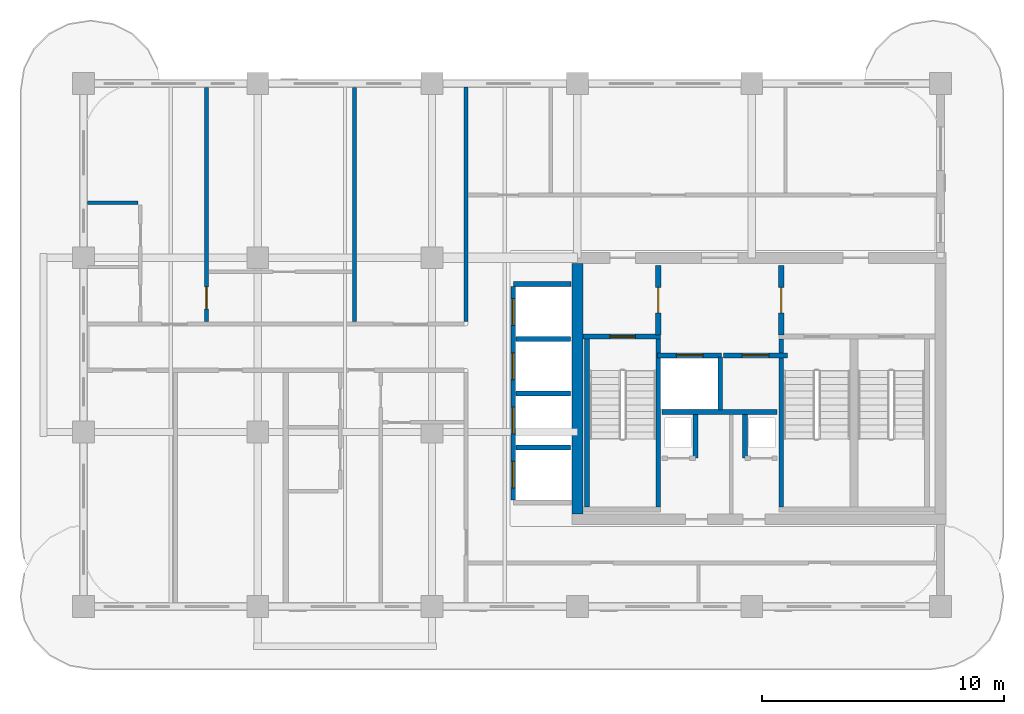
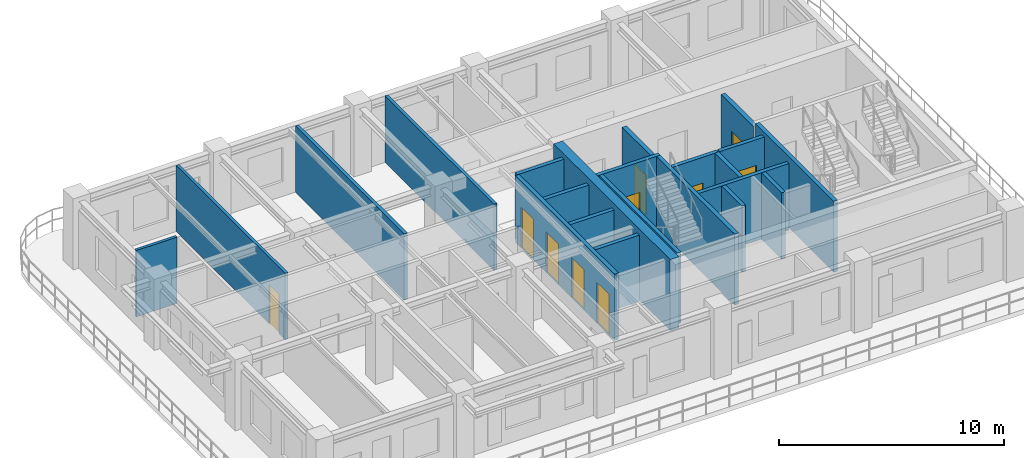
# One storey, part 4 of 8: 22 walls, 10 doors, 10 openings.
"""IFC4 building model written with IfcOpenShell, lengths in metres."""

from ifc_helpers import new_model, si_unit, derived_unit, direction, frame, frame_2d, origin, place, context, subcontext, project, spatial, rectangle, extrude, source, transform, mapped, material, layer, layer_set, type_object, type_shapes, element, fill, save


model = new_model("IFC4")

# Units and contexts
model_context = context("Model", 3, precision=1e-05, world=origin(), true_north=direction((0.0, 1.0)))
body_context = subcontext(model_context, "Body", "Model", "MODEL_VIEW")
ifc_project = project(units=[si_unit("LENGTHUNIT", "METRE"), si_unit("AREAUNIT", "SQUARE_METRE"), si_unit("VOLUMEUNIT", "CUBIC_METRE"), si_unit("PLANEANGLEUNIT", "RADIAN"), si_unit("MASSUNIT", "GRAM", prefix="KILO"), si_unit("THERMODYNAMICTEMPERATUREUNIT", "KELVIN"), si_unit("POWERUNIT", "WATT"), derived_unit("THERMALTRANSMITTANCEUNIT", [(si_unit("POWERUNIT", "WATT"), 1), (si_unit("AREAUNIT", "SQUARE_METRE"), -1), (si_unit("THERMODYNAMICTEMPERATUREUNIT", "KELVIN"), -1)])], contexts=[model_context])

# Site, building, storey
site_placement = place(None, origin())
site = spatial("IfcSite", under=ifc_project, at=site_placement, CompositionType="ELEMENT")
building_placement = place(site_placement, origin())
building = spatial("IfcBuilding", under=site, at=building_placement, Name="Zahravan Archway Hotel and Residences", CompositionType="ELEMENT")
storey_placement = place(building_placement, frame((0.0, 0.0, 225.0)))
storey = spatial("IfcBuildingStorey", under=building, at=storey_placement, Name="L56", CompositionType="ELEMENT", Elevation=225.0)

# Wall
ifc_material_1 = material(Name="Concrete C50/60", Category="concrete")
ifc_layer_1 = layer(ifc_material_1, 0.449951171875, Name="Concrete C50/60", Category="concrete")
ifc_layer_set_1 = layer_set([ifc_layer_1], Name="Concrete C50/60")
wall_type_1 = type_object("IfcWallType", Name="CW-CORE-450", PredefinedType="SHEAR", material=ifc_layer_set_1)
wall_1_placement = place(storey_placement, frame((34.800048828125, 3.824951171875, 0.0), z_axis=(0.0, 0.0, 1.0), x_axis=(0.0, 1.0, 0.0)))
element("IfcWall", 1, at=wall_1_placement, inside=storey, type_object=wall_type_1, Name="L56 Core A Shear W Wall 450 mm", PredefinedType="SHEAR", context=body_context, shape_type="SweptSolid", body=[
    extrude(rectangle(XDim=10.35009765625, YDim=0.449951171875, at=frame_2d((5.175048828125, 0.0))), origin(), (0.0, 0.0, 1.0), 3.85009765625),
])

# Wall, opening, door
ifc_material_2 = material(Name="Fire-Rated Gypsum & Concrete Block", Category="concrete")
ifc_layer_2 = layer(ifc_material_2, 0.219970703125, Name="Fire-Rated Gypsum & Concrete Block", Category="concrete")
ifc_layer_set_2 = layer_set([ifc_layer_2], Name="Fire-Rated Gypsum & Concrete Block")
wall_type_2 = type_object("IfcWallType", Name="PW-COMP-220", PredefinedType="PARTITIONING", material=ifc_layer_set_2)
wall_2_placement = place(storey_placement, frame((38.139892578125, 11.219970703125, 0.0), z_axis=(0.0, 0.0, 1.0), x_axis=(0.0, 1.0, 0.0)))
wall_2 = element("IfcWall", 2, at=wall_2_placement, inside=storey, type_object=wall_type_2, Name="L56 Partition CA-LOBW", PredefinedType="PARTITIONING", context=body_context, shape_type="SweptSolid", body=[
    extrude(rectangle(XDim=2.860107421875, YDim=0.219970703125, at=frame_2d((1.43017578125, 0.0))), origin(), (0.0, 0.0, 1.0), 3.60009765625),
])
opening_1_placement = place(wall_2_placement, frame((0.905029296875, 0.0, 0.0)))
opening_1 = element("IfcOpeningElement", 3, at=opening_1_placement, cuts=wall_2, Name="Opening FD-L2", PredefinedType="OPENING", context=body_context, shape_type="SweptSolid", body=[
    extrude(rectangle(XDim=1.050048828125, YDim=2.14990234375, at=frame_2d((0.52490234375, 1.074951171875))), frame((0.0, 0.1201171875, 0.0), z_axis=(0.0, -1.0, 0.0), x_axis=(1.0, 0.0, 0.0)), (0.0, 0.0, 1.0), 0.239990234375),
])
ifc_material_3 = material(Name="Fire-Rated Painted Steel", Category="steel")
door_type_1 = type_object("IfcDoorType", Name="FD-LOBBY-1100", OperationType="NOTDEFINED", PredefinedType="DOOR", material=ifc_material_3)
shared_shape_1 = source(origin(), body_context, "Body", "SweptSolid", [
    extrude(rectangle(XDim=1.050048828125, YDim=2.14990234375, at=frame_2d((0.52490234375, 1.074951171875))), frame((0.0, 0.02490234375, 0.0), z_axis=(0.0, -1.0, 0.0), x_axis=(1.0, 0.0, 0.0)), (0.0, 0.0, 1.0), 0.050048828125),
])
type_shapes(door_type_1, [shared_shape_1])
door_1_placement = place(opening_1_placement, origin())
door_1 = element("IfcDoor", 4, at=door_1_placement, inside=storey, type_object=door_type_1, Name="L56 Core A West Stair to FSAE Lobby Door", OperationType="SINGLE_SWING_RIGHT", OverallHeight=2.14990234375, OverallWidth=1.050048828125, PredefinedType="DOOR", context=body_context, shape_type="MappedRepresentation", body=[
    mapped(shared_shape_1, transform((0.0, 0.0, 0.0), scale=1.0)),
])
fill(opening_1, door_1)

wall_3_placement = place(storey_placement, frame((43.219970703125, 11.219970703125, 0.0), z_axis=(0.0, 0.0, 1.0), x_axis=(0.0, 1.0, 0.0)))
wall_3 = element("IfcWall", 5, at=wall_3_placement, inside=storey, type_object=wall_type_2, Name="L56 Partition CA-LOBE", PredefinedType="PARTITIONING", context=body_context, shape_type="SweptSolid", body=[
    extrude(rectangle(XDim=2.860107421875, YDim=0.219970703125, at=frame_2d((1.43017578125, 0.0))), origin(), (0.0, 0.0, 1.0), 3.60009765625),
])
opening_2_placement = place(wall_3_placement, frame((0.905029296875, 0.0, 0.0)))
opening_2 = element("IfcOpeningElement", 6, at=opening_2_placement, cuts=wall_3, Name="Opening FD-L2", PredefinedType="OPENING", context=body_context, shape_type="SweptSolid", body=[
    extrude(rectangle(XDim=1.050048828125, YDim=2.14990234375, at=frame_2d((0.52490234375, 1.074951171875))), frame((0.0, 0.1201171875, 0.0), z_axis=(0.0, -1.0, 0.0), x_axis=(1.0, 0.0, 0.0)), (0.0, 0.0, 1.0), 0.239990234375),
])
door_2_placement = place(opening_2_placement, origin())
door_2 = element("IfcDoor", 7, at=door_2_placement, inside=storey, type_object=door_type_1, Name="L56 Core A East Stair to FSAE Lobby Door", OperationType="SINGLE_SWING_LEFT", OverallHeight=2.14990234375, OverallWidth=1.050048828125, PredefinedType="DOOR", context=body_context, shape_type="MappedRepresentation", body=[
    mapped(shared_shape_1, transform((0.0, 0.0, 0.0), scale=1.0)),
])
fill(opening_2, door_2)

# Walls
ifc_layer_3 = layer(ifc_material_2, 0.159912109375, Name="Fire-Rated Gypsum & Concrete Block", Category="concrete")
ifc_layer_set_3 = layer_set([ifc_layer_3], Name="Fire-Rated Gypsum & Concrete Block")
wall_type_3 = type_object("IfcWallType", Name="PW-CORR-160", PredefinedType="PARTITIONING", material=ifc_layer_set_3)
wall_4_placement = place(storey_placement, frame((30.199951171875, 11.760009765625, 0.0), z_axis=(0.0, 0.0, 1.0), x_axis=(0.0, 1.0, 0.0)))
element("IfcWall", 8, at=wall_4_placement, inside=storey, type_object=wall_type_3, Name="L56 Partition WA-FW", PredefinedType="PARTITIONING", context=body_context, shape_type="SweptSolid", body=[
    extrude(rectangle(XDim=9.699951171875, YDim=0.159912109375, at=frame_2d((4.85009765625, 0.0))), origin(), (0.0, 0.0, 1.0), 3.60009765625),
])
ifc_layer_4 = layer(ifc_material_2, 0.199951171875, Name="Fire-Rated Gypsum & Concrete Block", Category="concrete")
ifc_layer_set_4 = layer_set([ifc_layer_4], Name="Fire-Rated Gypsum & Concrete Block")
wall_type_4 = type_object("IfcWallType", Name="PW-SHAFT-200", PredefinedType="PARTITIONING", material=ifc_layer_set_4)
wall_5_placement = place(storey_placement, frame((38.300048828125, 8.030029296875, 0.0), z_axis=(0.0, 0.0, 1.0), x_axis=(1.0, 0.0, 0.0)))
element("IfcWall", 9, at=wall_5_placement, inside=storey, type_object=wall_type_4, Name="L56 Partition CA-FLS", PredefinedType="PARTITIONING", context=body_context, shape_type="SweptSolid", body=[
    extrude(rectangle(XDim=4.739990234375, YDim=0.199951171875, at=frame_2d((2.3701171875, 0.0))), origin(), (0.0, 0.0, 1.0), 3.60009765625),
])
wall_6_placement = place(storey_placement, frame((40.699951171875, 8.1201171875, 0.0), z_axis=(0.0, 0.0, 1.0), x_axis=(0.0, 1.0, 0.0)))
element("IfcWall", 10, at=wall_6_placement, inside=storey, type_object=wall_type_4, Name="L56 Partition CA-FLM", PredefinedType="PARTITIONING", context=body_context, shape_type="SweptSolid", body=[
    extrude(rectangle(XDim=2.179931640625, YDim=0.199951171875, at=frame_2d((1.08984375, 0.0))), origin(), (0.0, 0.0, 1.0), 3.60009765625),
])
for number, where, z_axis, x_axis, name in (
    (11, (39.679931640625, 6.1298828125, 0.0), (0.0, 0.0, 1.0), (0.0, 1.0, 0.0), "L56 Partition CA-SMKE"),
    (12, (41.719970703125, 6.1298828125, 0.0), (0.0, 0.0, 1.0), (0.0, 1.0, 0.0), "L56 Partition CA-MEPW"),
):
    element("IfcWall", number, at=place(storey_placement, frame(where, z_axis=z_axis, x_axis=x_axis)), inside=storey, type_object=wall_type_4, Name=name, PredefinedType="PARTITIONING", context=body_context, shape_type="SweptSolid", body=[
        extrude(rectangle(XDim=1.7900390625, YDim=0.199951171875, at=frame_2d((0.89501953125, 0.0))), origin(), (0.0, 0.0, 1.0), 3.60009765625),
    ])
wall_7_placement = place(storey_placement, frame((32.159912109375, 13.320068359375, 0.0), z_axis=(0.0, 0.0, 1.0), x_axis=(1.0, 0.0, 0.0)))
element("IfcWall", 13, at=wall_7_placement, inside=storey, type_object=wall_type_4, Name="L56 Partition B3-N", PredefinedType="PARTITIONING", context=body_context, shape_type="SweptSolid", body=[
    extrude(rectangle(XDim=2.385009765625, YDim=0.199951171875, at=frame_2d((1.1923828125, 0.0))), origin(), (0.0, 0.0, 1.0), 3.60009765625),
])

# Wall, openings, doors
wall_8_placement = place(storey_placement, frame((32.14990234375, 4.389892578125, 0.0), z_axis=(0.0, 0.0, 1.0), x_axis=(0.0, 1.0, 0.0)))
wall_8 = element("IfcWall", 14, at=wall_8_placement, inside=storey, type_object=wall_type_4, Name="L56 Partition B3-W", PredefinedType="PARTITIONING", context=body_context, shape_type="SweptSolid", body=[
    extrude(rectangle(XDim=8.820068359375, YDim=0.199951171875, at=frame_2d((4.41015625, 0.0))), origin(), (0.0, 0.0, 1.0), 3.60009765625),
])
opening_3_placement = place(wall_8_placement, frame((0.5, 0.0, 0.0)))
opening_3 = element("IfcOpeningElement", 15, at=opening_3_placement, cuts=wall_8, Name="Opening LD", PredefinedType="OPENING", context=body_context, shape_type="SweptSolid", body=[
    extrude(rectangle(XDim=1.10009765625, YDim=2.199951171875, at=frame_2d((0.550048828125, 1.10009765625))), frame((0.0, 0.10986328125, 0.0), z_axis=(0.0, -1.0, 0.0), x_axis=(1.0, 0.0, 0.0)), (0.0, 0.0, 1.0), 0.219970703125),
])
opening_4_placement = place(wall_8_placement, frame((2.739990234375, 0.0, 0.0)))
opening_4 = element("IfcOpeningElement", 16, at=opening_4_placement, cuts=wall_8, Name="Opening LD", PredefinedType="OPENING", context=body_context, shape_type="SweptSolid", body=[
    extrude(rectangle(XDim=1.10009765625, YDim=2.199951171875, at=frame_2d((0.550048828125, 1.10009765625))), frame((0.0, 0.10986328125, 0.0), z_axis=(0.0, -1.0, 0.0), x_axis=(1.0, 0.0, 0.0)), (0.0, 0.0, 1.0), 0.219970703125),
])
opening_5_placement = place(wall_8_placement, frame((4.97998046875, 0.0, 0.0)))
opening_5 = element("IfcOpeningElement", 17, at=opening_5_placement, cuts=wall_8, Name="Opening LD", PredefinedType="OPENING", context=body_context, shape_type="SweptSolid", body=[
    extrude(rectangle(XDim=1.10009765625, YDim=2.199951171875, at=frame_2d((0.550048828125, 1.10009765625))), frame((0.0, 0.10986328125, 0.0), z_axis=(0.0, -1.0, 0.0), x_axis=(1.0, 0.0, 0.0)), (0.0, 0.0, 1.0), 0.219970703125),
])
opening_6_placement = place(wall_8_placement, frame((7.219970703125, 0.0, 0.0)))
opening_6 = element("IfcOpeningElement", 18, at=opening_6_placement, cuts=wall_8, Name="Opening LD", PredefinedType="OPENING", context=body_context, shape_type="SweptSolid", body=[
    extrude(rectangle(XDim=1.10009765625, YDim=2.199951171875, at=frame_2d((0.550048828125, 1.10009765625))), frame((0.0, 0.10986328125, 0.0), z_axis=(0.0, -1.0, 0.0), x_axis=(1.0, 0.0, 0.0)), (0.0, 0.0, 1.0), 0.219970703125),
])
ifc_material_4 = material(Name="Brushed Stainless Steel", Category="steel")
door_type_2 = type_object("IfcDoorType", Name="DR-LIFT-LD", OperationType="SLIDING_TO_LEFT", PredefinedType="DOOR", material=ifc_material_4)
shared_shape_2 = source(origin(), body_context, "Body", "SweptSolid", [
    extrude(rectangle(XDim=1.10009765625, YDim=2.199951171875, at=frame_2d((0.550048828125, 1.10009765625))), frame((0.0, 0.02490234375, 0.0), z_axis=(0.0, -1.0, 0.0), x_axis=(1.0, 0.0, 0.0)), (0.0, 0.0, 1.0), 0.050048828125),
])
type_shapes(door_type_2, [shared_shape_2])
door_3_placement = place(opening_3_placement, origin())
door_3 = element("IfcDoor", 19, at=door_3_placement, inside=storey, type_object=door_type_2, Name="L56 Lift LP-7 Sliding Landing Door", OperationType="SLIDING_TO_LEFT", OverallHeight=2.199951171875, OverallWidth=1.10009765625, PredefinedType="DOOR", context=body_context, shape_type="MappedRepresentation", body=[
    mapped(shared_shape_2, transform((0.0, 0.0, 0.0), scale=1.0)),
])
fill(opening_3, door_3)
door_4_placement = place(opening_4_placement, origin())
door_4 = element("IfcDoor", 20, at=door_4_placement, inside=storey, type_object=door_type_2, Name="L56 Lift LP-8 Sliding Landing Door", OperationType="SLIDING_TO_LEFT", OverallHeight=2.199951171875, OverallWidth=1.10009765625, PredefinedType="DOOR", context=body_context, shape_type="MappedRepresentation", body=[
    mapped(shared_shape_2, transform((0.0, 0.0, 0.0), scale=1.0)),
])
fill(opening_4, door_4)
door_5_placement = place(opening_5_placement, origin())
door_5 = element("IfcDoor", 21, at=door_5_placement, inside=storey, type_object=door_type_2, Name="L56 Lift LP-9 Sliding Landing Door", OperationType="SLIDING_TO_LEFT", OverallHeight=2.199951171875, OverallWidth=1.10009765625, PredefinedType="DOOR", context=body_context, shape_type="MappedRepresentation", body=[
    mapped(shared_shape_2, transform((0.0, 0.0, 0.0), scale=1.0)),
])
fill(opening_5, door_5)
door_6_placement = place(opening_6_placement, origin())
door_6 = element("IfcDoor", 22, at=door_6_placement, inside=storey, type_object=door_type_2, Name="L56 Lift LP-10 Sliding Landing Door", OperationType="SLIDING_TO_LEFT", OverallHeight=2.199951171875, OverallWidth=1.10009765625, PredefinedType="DOOR", context=body_context, shape_type="MappedRepresentation", body=[
    mapped(shared_shape_2, transform((0.0, 0.0, 0.0), scale=1.0)),
])
fill(opening_6, door_6)

# Walls
for number, where, z_axis, x_axis, name in (
    (23, (32.260009765625, 6.56005859375, 0.0), (0.0, 0.0, 1.0), (1.0, 0.0, 0.0), "L56 Partition B3-D"),
    (24, (32.260009765625, 8.800048828125, 0.0), (0.0, 0.0, 1.0), (1.0, 0.0, 0.0), "L56 Partition B3-D"),
    (25, (32.260009765625, 11.0400390625, 0.0), (0.0, 0.0, 1.0), (1.0, 0.0, 0.0), "L56 Partition B3-D"),
):
    element("IfcWall", number, at=place(storey_placement, frame(where, z_axis=z_axis, x_axis=x_axis)), inside=storey, type_object=wall_type_4, Name=name, PredefinedType="PARTITIONING", context=body_context, shape_type="SweptSolid", body=[
        extrude(rectangle(XDim=2.2548828125, YDim=0.199951171875, at=frame_2d((1.12744140625, 0.0))), origin(), (0.0, 0.0, 1.0), 3.60009765625),
    ])

# Wall, opening, door
wall_9_placement = place(storey_placement, frame((38.1201171875, 10.3701171875, 0.0), z_axis=(0.0, 0.0, 1.0), x_axis=(1.0, 0.0, 0.0)))
wall_9 = element("IfcWall", 26, at=wall_9_placement, inside=storey, type_object=wall_type_4, Name="L56 Lift FL-1 Front Wall", PredefinedType="PARTITIONING", context=body_context, shape_type="SweptSolid", body=[
    extrude(rectangle(XDim=2.639892578125, YDim=0.199951171875, at=frame_2d((1.31982421875, 0.0))), origin(), (0.0, 0.0, 1.0), 3.60009765625),
])
opening_7_placement = place(wall_9_placement, frame((0.77001953125, 0.0, 0.0)))
opening_7 = element("IfcOpeningElement", 27, at=opening_7_placement, cuts=wall_9, Name="Opening LD", PredefinedType="OPENING", context=body_context, shape_type="SweptSolid", body=[
    extrude(rectangle(XDim=1.10009765625, YDim=2.199951171875, at=frame_2d((0.550048828125, 1.10009765625))), frame((0.0, 0.10986328125, 0.0), z_axis=(0.0, -1.0, 0.0), x_axis=(1.0, 0.0, 0.0)), (0.0, 0.0, 1.0), 0.219970703125),
])
door_7_placement = place(opening_7_placement, origin())
door_7 = element("IfcDoor", 28, at=door_7_placement, inside=storey, type_object=door_type_2, Name="L56 Lift FL-1 Sliding Landing Door", OperationType="SLIDING_TO_LEFT", OverallHeight=2.199951171875, OverallWidth=1.10009765625, PredefinedType="DOOR", context=body_context, shape_type="MappedRepresentation", body=[
    mapped(shared_shape_2, transform((0.0, 0.0, 0.0), scale=1.0)),
])
fill(opening_7, door_7)

wall_10_placement = place(storey_placement, frame((40.840087890625, 10.3701171875, 0.0), z_axis=(0.0, 0.0, 1.0), x_axis=(1.0, 0.0, 0.0)))
wall_10 = element("IfcWall", 29, at=wall_10_placement, inside=storey, type_object=wall_type_4, Name="L56 Lift FL-2 Front Wall", PredefinedType="PARTITIONING", context=body_context, shape_type="SweptSolid", body=[
    extrude(rectangle(XDim=2.639892578125, YDim=0.199951171875, at=frame_2d((1.31982421875, 0.0))), origin(), (0.0, 0.0, 1.0), 3.60009765625),
])
opening_8_placement = place(wall_10_placement, frame((0.77001953125, 0.0, 0.0)))
opening_8 = element("IfcOpeningElement", 30, at=opening_8_placement, cuts=wall_10, Name="Opening LD", PredefinedType="OPENING", context=body_context, shape_type="SweptSolid", body=[
    extrude(rectangle(XDim=1.10009765625, YDim=2.199951171875, at=frame_2d((0.550048828125, 1.10009765625))), frame((0.0, 0.10986328125, 0.0), z_axis=(0.0, -1.0, 0.0), x_axis=(1.0, 0.0, 0.0)), (0.0, 0.0, 1.0), 0.219970703125),
])
door_8_placement = place(opening_8_placement, origin())
door_8 = element("IfcDoor", 31, at=door_8_placement, inside=storey, type_object=door_type_2, Name="L56 Lift FL-2 Sliding Landing Door", OperationType="SLIDING_TO_LEFT", OverallHeight=2.199951171875, OverallWidth=1.10009765625, PredefinedType="DOOR", context=body_context, shape_type="MappedRepresentation", body=[
    mapped(shared_shape_2, transform((0.0, 0.0, 0.0), scale=1.0)),
])
fill(opening_8, door_8)

ifc_material_5 = material(Name="Acoustic Stud Partition")
ifc_layer_5 = layer(ifc_material_5, 0.14990234375, Name="Acoustic Stud Partition")
ifc_layer_set_5 = layer_set([ifc_layer_5], Name="Acoustic Stud Partition")
wall_type_5 = type_object("IfcWallType", Name="PW-UNIT-150", PredefinedType="PARTITIONING", material=ifc_layer_set_5)
wall_11_placement = place(storey_placement, frame((19.47998046875, 11.760009765625, 0.0), z_axis=(0.0, 0.0, 1.0), x_axis=(0.0, 1.0, 0.0)))
wall_11 = element("IfcWall", 32, at=wall_11_placement, inside=storey, type_object=wall_type_5, Name="L56 Partition FL-N1-SP", PredefinedType="PARTITIONING", context=body_context, shape_type="SweptSolid", body=[
    extrude(rectangle(XDim=9.671875, YDim=0.14990234375, at=frame_2d((4.8359375, 0.0))), origin(), (0.0, 0.0, 1.0), 3.60009765625),
])
opening_9_placement = place(wall_11_placement, frame((0.534912109375, 0.0, 0.0)))
opening_9 = element("IfcOpeningElement", 33, at=opening_9_placement, cuts=wall_11, Name="Opening D-I2", PredefinedType="OPENING", context=body_context, shape_type="SweptSolid", body=[
    extrude(rectangle(XDim=0.89990234375, YDim=2.14990234375, at=frame_2d((0.449951171875, 1.074951171875))), frame((0.0, 0.0849609375, 0.0), z_axis=(0.0, -1.0, 0.0), x_axis=(1.0, 0.0, 0.0)), (0.0, 0.0, 1.0), 0.169921875),
])
ifc_material_6 = material(Name="Hardwood Veneer Timber", Category="wood")
door_type_3 = type_object("IfcDoorType", Name="ID-INT-900", OperationType="NOTDEFINED", PredefinedType="DOOR", material=ifc_material_6)
shared_shape_3 = source(origin(), body_context, "Body", "SweptSolid", [
    extrude(rectangle(XDim=0.89990234375, YDim=2.14990234375, at=frame_2d((0.449951171875, 1.074951171875))), frame((0.0, 0.02490234375, 0.0), z_axis=(0.0, -1.0, 0.0), x_axis=(1.0, 0.0, 0.0)), (0.0, 0.0, 1.0), 0.050048828125),
])
type_shapes(door_type_3, [shared_shape_3])
door_9_placement = place(opening_9_placement, origin())
door_9 = element("IfcDoor", 34, at=door_9_placement, inside=storey, type_object=door_type_3, Name="L56 Flat N1 Bedroom Hall Door", OperationType="SINGLE_SWING_RIGHT", OverallHeight=2.14990234375, OverallWidth=0.89990234375, PredefinedType="DOOR", context=body_context, shape_type="MappedRepresentation", body=[
    mapped(shared_shape_3, transform((0.0, 0.0, 0.0), scale=1.0)),
])
fill(opening_9, door_9)

# Walls
ifc_layer_6 = layer(ifc_material_5, 0.169921875, Name="Acoustic Stud Partition")
ifc_layer_set_6 = layer_set([ifc_layer_6], Name="Acoustic Stud Partition")
wall_type_6 = type_object("IfcWallType", Name="PW-UNIT-170", PredefinedType="PARTITIONING", material=ifc_layer_set_6)
wall_12_placement = place(storey_placement, frame((25.60009765625, 11.760009765625, 0.0), z_axis=(0.0, 0.0, 1.0), x_axis=(0.0, 1.0, 0.0)))
element("IfcWall", 35, at=wall_12_placement, inside=storey, type_object=wall_type_6, Name="L56 Partition WAN-N2", PredefinedType="PARTITIONING", context=body_context, shape_type="SweptSolid", body=[
    extrude(rectangle(XDim=9.671875, YDim=0.169921875, at=frame_2d((4.8359375, 0.0))), origin(), (0.0, 0.0, 1.0), 3.60009765625),
])
ifc_material_7 = material(Name="Moisture-Resistant Blockwork", Category="masonry")
ifc_layer_7 = layer(ifc_material_7, 0.139892578125, Name="Moisture-Resistant Blockwork", Category="masonry")
ifc_layer_set_7 = layer_set([ifc_layer_7], Name="Moisture-Resistant Blockwork")
wall_type_7 = type_object("IfcWallType", Name="PW-WET-140", PredefinedType="PARTITIONING", material=ifc_layer_set_7)
wall_13_placement = place(storey_placement, frame((14.568115234375, 16.669921875, 0.0), z_axis=(0.0, 0.0, 1.0), x_axis=(1.0, 0.0, 0.0)))
element("IfcWall", 36, at=wall_13_placement, inside=storey, type_object=wall_type_7, Name="L56 Partition FL-N1-KH", PredefinedType="PARTITIONING", context=body_context, shape_type="SweptSolid", body=[
    extrude(rectangle(XDim=2.091796875, YDim=0.139892578125, at=frame_2d((1.0458984375, 0.0))), origin(), (0.0, 0.0, 1.0), 3.60009765625),
])
ifc_layer_8 = layer(ifc_material_1, 0.199951171875, Name="Concrete C50/60", Category="concrete")
ifc_layer_set_8 = layer_set([ifc_layer_8], Name="Concrete C50/60")
wall_type_8 = type_object("IfcWallType", Name="SW-STAIR-200", PredefinedType="SHEAR", material=ifc_layer_set_8)
for number, where, z_axis, x_axis, name in (
    (37, (35.199951171875, 4.10009765625, 0.0), (0.0, 0.0, 1.0), (0.0, 1.0, 0.0), "L56 Stairwell RC Wall CA-SA1W"),
    (38, (38.139892578125, 4.10009765625, 0.0), (0.0, 0.0, 1.0), (0.0, 1.0, 0.0), "L56 Stairwell RC Wall CA-SA1E"),
):
    element("IfcWall", number, at=place(storey_placement, frame(where, z_axis=z_axis, x_axis=x_axis)), inside=storey, type_object=wall_type_8, Name=name, PredefinedType="SHEAR", context=body_context, shape_type="SweptSolid", body=[
        extrude(rectangle(XDim=6.949951171875, YDim=0.199951171875, at=frame_2d((3.47509765625, 0.0))), origin(), (0.0, 0.0, 1.0), 3.85009765625),
    ])

# Wall, opening, door
wall_14_placement = place(storey_placement, frame((35.02490234375, 11.14990234375, 0.0), z_axis=(0.0, 0.0, 1.0), x_axis=(1.0, 0.0, 0.0)))
wall_14 = element("IfcWall", 39, at=wall_14_placement, inside=storey, type_object=wall_type_8, Name="L56 Stairwell RC Wall CA-SA1N", PredefinedType="SHEAR", context=body_context, shape_type="SweptSolid", body=[
    extrude(rectangle(XDim=3.215087890625, YDim=0.199951171875, at=frame_2d((1.607421875, 0.0))), origin(), (0.0, 0.0, 1.0), 3.85009765625),
])
opening_10_placement = place(wall_14_placement, frame((1.1201171875, 0.0, 0.0)))
opening_10 = element("IfcOpeningElement", 40, at=opening_10_placement, cuts=wall_14, Name="Opening FD-S1", PredefinedType="OPENING", context=body_context, shape_type="SweptSolid", body=[
    extrude(rectangle(XDim=1.050048828125, YDim=2.199951171875, at=frame_2d((0.52490234375, 1.10009765625))), frame((0.0, 0.10986328125, 0.0), z_axis=(0.0, -1.0, 0.0), x_axis=(1.0, 0.0, 0.0)), (0.0, 0.0, 1.0), 0.219970703125),
])
door_type_4 = type_object("IfcDoorType", Name="FD-STAIR-1100", OperationType="NOTDEFINED", PredefinedType="DOOR", material=ifc_material_3)
shared_shape_4 = source(origin(), body_context, "Body", "SweptSolid", [
    extrude(rectangle(XDim=1.050048828125, YDim=2.199951171875, at=frame_2d((0.52490234375, 1.10009765625))), frame((0.0, 0.02490234375, 0.0), z_axis=(0.0, -1.0, 0.0), x_axis=(1.0, 0.0, 0.0)), (0.0, 0.0, 1.0), 0.050048828125),
])
type_shapes(door_type_4, [shared_shape_4])
door_10_placement = place(opening_10_placement, origin())
door_10 = element("IfcDoor", 41, at=door_10_placement, inside=storey, type_object=door_type_4, Name="L56 Stair ST-A1 Door", OperationType="SINGLE_SWING_LEFT", OverallHeight=2.199951171875, OverallWidth=1.050048828125, PredefinedType="DOOR", context=body_context, shape_type="MappedRepresentation", body=[
    mapped(shared_shape_4, transform((0.0, 0.0, 0.0), scale=1.0)),
])
fill(opening_10, door_10)

# Wall
wall_15_placement = place(storey_placement, frame((43.219970703125, 4.10009765625, 0.0), z_axis=(0.0, 0.0, 1.0), x_axis=(0.0, 1.0, 0.0)))
element("IfcWall", 42, at=wall_15_placement, inside=storey, type_object=wall_type_8, Name="L56 Stairwell RC Wall CA-SA2W", PredefinedType="SHEAR", context=body_context, shape_type="SweptSolid", body=[
    extrude(rectangle(XDim=6.949951171875, YDim=0.199951171875, at=frame_2d((3.47509765625, 0.0))), origin(), (0.0, 0.0, 1.0), 3.85009765625),
])

save(model, "model.ifc")
